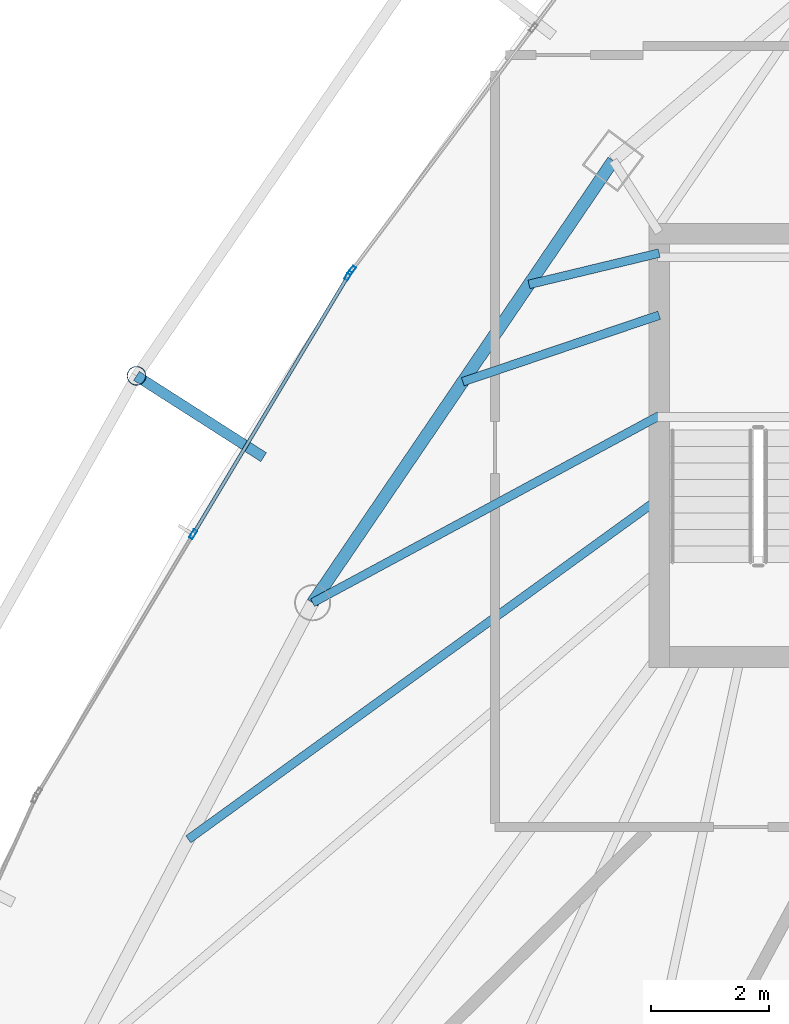
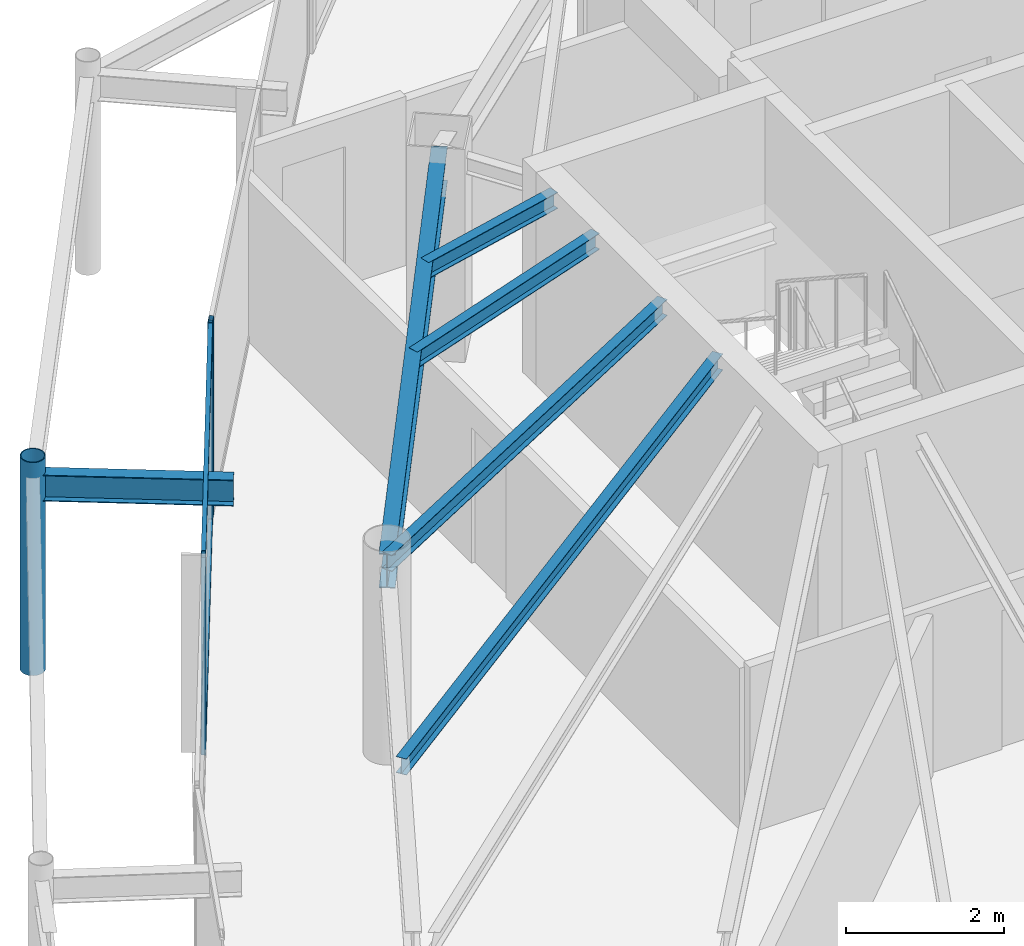
# One storey, part 13 of 34: 6 beams, 6 members, 2 elements without a shape of their own.
"""IFC4 building model written with IfcOpenShell, lengths in metres."""

import ifcopenshell
import ifcopenshell.guid

model = None  # the IFC model being written
_history = None  # IfcOwnerHistory: only IFC2X3 demands one
_inside = {}  # id of a spatial element -> (the spatial element, [elements in it])
_under = {}  # id of a project, library or spatial element -> (it, [spatial elements below it])
_declared = {}  # id of a project -> (the project, [libraries it declares])
_typed = {}  # id of a type object -> (the type object, [elements of that type])
_made_of = {}  # id of a material, layer set ... -> (it, [elements and type objects made of it])


def new_model(schema):
    """Start an empty IFC model of exactly this schema.

    Asked for "IFC4X3", IfcOpenShell would pick the latest addendum, in which some entities
    have other attributes; the version numbers below select the first issue.
    IFC2X3 requires an IfcOwnerHistory on every rooted entity: one is made here for all.
    """
    global model, _history
    if schema == "IFC4X3":
        model = ifcopenshell.file(schema_version=(4, 3, 0, 0))
    else:
        model = ifcopenshell.file(schema=schema)
    _inside.clear()
    _under.clear()
    _declared.clear()
    _typed.clear()
    _made_of.clear()
    _history = None
    if model.schema == "IFC2X3":
        org = make("IfcOrganization", Name="unknown")
        user = make(
            "IfcPersonAndOrganization",
            ThePerson=make("IfcPerson", FamilyName="unknown"),
            TheOrganization=org,
        )
        app = make(
            "IfcApplication",
            ApplicationDeveloper=org,
            Version="unknown",
            ApplicationFullName="unknown",
            ApplicationIdentifier="unknown",
        )
        _history = make(
            "IfcOwnerHistory",
            OwningUser=user,
            OwningApplication=app,
            ChangeAction="ADDED",
            CreationDate=0,
        )
    return model


def make(cls, **values):
    """One entity of the class cls with the attributes given. An attribute that is None is left unset."""
    return model.create_entity(
        cls, **{name: value for name, value in values.items() if value is not None}
    )


def rooted(cls, **values):
    """An entity with a GlobalId (a new one), such as an element, a storey or a relation."""
    return make(cls, GlobalId=ifcopenshell.guid.new(), OwnerHistory=_history, **values)


def si_unit(unit_type, name, prefix=None):
    """IfcSIUnit, for example si_unit("LENGTHUNIT", "METRE", prefix="MILLI")."""
    return make("IfcSIUnit", UnitType=unit_type, Prefix=prefix, Name=name)


def assignment(units):
    """IfcUnitAssignment: the units of a project."""
    return None if units is None else make("IfcUnitAssignment", Units=units)


def point(xyz):
    """IfcCartesianPoint."""
    return None if xyz is None else make("IfcCartesianPoint", Coordinates=xyz)


def direction(xyz):
    """IfcDirection."""
    return None if xyz is None else make("IfcDirection", DirectionRatios=xyz)


def frame(location, z_axis=None, x_axis=None):
    """IfcAxis2Placement3D, a coordinate frame: its origin and axes. An axis left out is left unset."""
    return make(
        "IfcAxis2Placement3D",
        Location=point(location),
        Axis=direction(z_axis),
        RefDirection=direction(x_axis),
    )


def frame_2d(location, x_axis=None):
    """IfcAxis2Placement2D, a coordinate frame in the plane: its origin and x axis."""
    return make(
        "IfcAxis2Placement2D", Location=point(location), RefDirection=direction(x_axis)
    )


def origin():
    """The frame at (0, 0, 0) with its axes left unset."""
    return frame((0.0, 0.0, 0.0))


def origin_2d():
    """The frame at (0, 0) in the plane with its x axis left unset."""
    return frame_2d((0.0, 0.0))


def place(relative_to, where):
    """IfcLocalPlacement: puts the frame where relative to a parent placement (None: the world)."""
    return make(
        "IfcLocalPlacement", PlacementRelTo=relative_to, RelativePlacement=where
    )


def context(
    kind, dimensions, precision=None, world=None, true_north=None, identifier=None
):
    """IfcGeometricRepresentationContext, for example the 3D "Model" context."""
    return make(
        "IfcGeometricRepresentationContext",
        ContextIdentifier=identifier,
        ContextType=kind,
        CoordinateSpaceDimension=dimensions,
        Precision=precision,
        WorldCoordinateSystem=world,
        TrueNorth=true_north,
    )


def subcontext(parent, identifier, kind, view, scale=None):
    """IfcGeometricRepresentationSubContext, for example "Body" below "Model"."""
    return make(
        "IfcGeometricRepresentationSubContext",
        ContextIdentifier=identifier,
        ContextType=kind,
        ParentContext=parent,
        TargetScale=scale,
        TargetView=view,
    )


def project(units=None, contexts=None):
    """IfcProject with its units and contexts."""
    return rooted(
        "IfcProject",
        Name="project",
        RepresentationContexts=contexts,
        UnitsInContext=assignment(units),
    )


def spatial(cls, under=None, at=None, **own):
    """A site, building, storey or space (cls), placed at a placement, below another one or the project."""
    s = rooted(cls, ObjectPlacement=at, **own)
    if under is not None:
        _under.setdefault(under.id(), (under, []))[1].append(s)
    return s


def profile(cls, at=None, kind="AREA", **sizes):
    """A parametric profile (cls). Its sizes go by their IFC names, for example OverallWidth=200.0."""
    return make(cls, ProfileType=kind, Position=at, **sizes)


def hollow_rectangle(**sizes):
    """IfcRectangleHollowProfileDef."""
    return profile("IfcRectangleHollowProfileDef", **sizes)


def hollow_circle(**sizes):
    """IfcCircleHollowProfileDef."""
    return profile("IfcCircleHollowProfileDef", **sizes)


def i_section(**sizes):
    """IfcIShapeProfileDef."""
    return profile("IfcIShapeProfileDef", **sizes)


def extrude(swept, where, along, depth):
    """IfcExtrudedAreaSolid: the profile swept, set in the frame where, extruded along a direction by depth."""
    return make(
        "IfcExtrudedAreaSolid",
        SweptArea=swept,
        Position=where,
        ExtrudedDirection=direction(along),
        Depth=depth,
    )


def shape(context_of_items, identifier, shape_type, items):
    """IfcShapeRepresentation: the items that make up one representation, for example the "Body"."""
    return make(
        "IfcShapeRepresentation",
        ContextOfItems=context_of_items,
        RepresentationIdentifier=identifier,
        RepresentationType=shape_type,
        Items=items,
    )


def material(Name=None, Category=None):
    """IfcMaterial."""
    return make("IfcMaterial", Name=Name, Category=Category)


def layer(
    of_material, thickness, ventilated=None, Name=None, Category=None, Priority=None
):
    """IfcMaterialLayer: one layer of a wall or slab, of a material (None: an air gap)."""
    return make(
        "IfcMaterialLayer",
        Material=of_material,
        LayerThickness=thickness,
        IsVentilated=ventilated,
        Name=Name,
        Category=Category,
        Priority=Priority,
    )


def layer_set(layers, Name=None):
    """IfcMaterialLayerSet."""
    return make("IfcMaterialLayerSet", MaterialLayers=layers, LayerSetName=Name)


def material_profile(
    of_material, cross_section, Name=None, Category=None, Priority=None
):
    """IfcMaterialProfile: a cross section and its material."""
    return make(
        "IfcMaterialProfile",
        Name=Name,
        Material=of_material,
        Profile=cross_section,
        Priority=Priority,
        Category=Category,
    )


def profile_set(profiles, Name=None, composite=None):
    """IfcMaterialProfileSet."""
    return make(
        "IfcMaterialProfileSet",
        Name=Name,
        MaterialProfiles=profiles,
        CompositeProfile=composite,
    )


def made_of(thing, what):
    """Note that an element or type object is made of a material, layer set ...; save() writes the relation."""
    if what is not None:
        _made_of.setdefault(what.id(), (what, []))[1].append(thing)
    return thing


def type_object(cls, material=None, **own):
    """A type object (cls), such as IfcWallType, which elements share."""
    return made_of(rooted(cls, **own), material)


def element(
    cls,
    number,
    at=None,
    inside=None,
    cuts=None,
    type_object=None,
    material=None,
    context=None,
    identifier="Body",
    shape_type=None,
    held_by="IfcProductDefinitionShape",
    body=None,
    shapes=None,
    **own,
):
    """One element of the class cls, such as IfcWall. Its Tag is "e" and its number.

    at: its placement. inside: the storey or other place that contains it. cuts: it is an
    opening in that element (IfcRelVoidsElement). A single representation is given by context,
    identifier, shape_type and body (its items); several are given by shapes. held_by: the class
    of the entity that holds the representations. save() writes the other relations.
    """
    e = rooted(cls, Tag="e%d" % number, ObjectPlacement=at, **own)
    if body is not None:
        shapes = [shape(context, identifier, shape_type, body)]
    if shapes is not None:
        e.Representation = make(held_by, Representations=shapes)
    if inside is not None:
        _inside.setdefault(inside.id(), (inside, []))[1].append(e)
    if cuts is not None:
        rooted(
            "IfcRelVoidsElement", RelatingBuildingElement=cuts, RelatedOpeningElement=e
        )
    if type_object is not None:
        _typed.setdefault(type_object.id(), (type_object, []))[1].append(e)
    return made_of(e, material)


def aggregate(whole, parts):
    """IfcRelAggregates: a whole, such as a stair, and the parts it consists of."""
    return rooted("IfcRelAggregates", RelatingObject=whole, RelatedObjects=parts)


def save(model, path):
    """Write the relations noted so far, then the file.

    IfcRelAggregates (storeys below a building ...), IfcRelContainedInSpatialStructure (elements
    in a storey), IfcRelDefinesByType, IfcRelAssociatesMaterial and IfcRelDeclares: one each for
    every whole, place, type object, material and project.
    """
    for whole, parts in _under.values():
        aggregate(whole, parts)
    for where, things in _inside.values():
        rooted(
            "IfcRelContainedInSpatialStructure",
            RelatedElements=things,
            RelatingStructure=where,
        )
    for kind, things in _typed.values():
        rooted("IfcRelDefinesByType", RelatedObjects=things, RelatingType=kind)
    for what, things in _made_of.values():
        rooted("IfcRelAssociatesMaterial", RelatedObjects=things, RelatingMaterial=what)
    for by, libraries in _declared.values():
        rooted("IfcRelDeclares", RelatingContext=by, RelatedDefinitions=libraries)
    model.write(path)


model = new_model("IFC4")

# Units and contexts
model_context = context("Model", 3, precision=1e-05, world=origin(), true_north=direction((0.0, 1.0)))
body_context = subcontext(model_context, "Body", "Model", "MODEL_VIEW")
ifc_project = project(units=[si_unit("LENGTHUNIT", "METRE"), si_unit("AREAUNIT", "SQUARE_METRE"), si_unit("VOLUMEUNIT", "CUBIC_METRE"), si_unit("PLANEANGLEUNIT", "RADIAN"), si_unit("MASSUNIT", "GRAM", prefix="KILO")], contexts=[model_context])

# Site, building, storey
site_placement = place(None, origin())
site = spatial("IfcSite", under=ifc_project, at=site_placement, CompositionType="ELEMENT")
building_placement = place(site_placement, origin())
building = spatial("IfcBuilding", under=site, at=building_placement, Name="Orvanel Arch Residences", CompositionType="ELEMENT")
storey_placement = place(building_placement, frame((0.0, 0.0, 199.699951171875)))
storey = spatial("IfcBuildingStorey", under=building, at=storey_placement, Name="L56", CompositionType="ELEMENT", Elevation=199.699951171875)

# Beams
ifc_material_1 = material(Name="Structural steel AS/NZS 3679.1 Grade 300 (300 MPa)", Category="steel")
ifc_material_profile_1 = material_profile(ifc_material_1, i_section(OverallWidth=0.14599609375, OverallDepth=0.251953125, WebThickness=0.006103515625, FlangeThickness=0.008544921875, at=origin_2d()), Name="250UB31.4")
ifc_profile_set_1 = profile_set([ifc_material_profile_1], Name="Structural steel AS/NZS 3679.1 Grade 300 (300 MPa)")
beam_type_1 = type_object("IfcBeamType", Name="BJ-250UB", PredefinedType="JOIST", material=ifc_profile_set_1)
beam_1_placement = place(storey_placement, frame((26.425048828125, 30.800048828125, 2.93408203125), z_axis=(-0.880111494021, -0.474767056664, 0.0), x_axis=(0.474767056664, -0.880111494021, 0.0)))
element("IfcBeam", 1, at=beam_1_placement, inside=storey, type_object=beam_type_1, Name="L56 NW Wing Floor Joist", PredefinedType="JOIST", context=body_context, shape_type="SweptSolid", body=[
    extrude(i_section(OverallWidth=0.14599609375, OverallDepth=0.251953125, WebThickness=0.006103515625, FlangeThickness=0.008544921875, at=origin_2d()), origin(), (0.0, 0.0, 1.0), 6.653564453125),
])
beam_2_placement = place(storey_placement, frame((26.425048828125, 32.5, 2.93408203125), z_axis=(-0.947187956478, -0.320678928373, 0.0), x_axis=(0.320678928373, -0.947187956478, 0.0)))
element("IfcBeam", 2, at=beam_2_placement, inside=storey, type_object=beam_type_1, Name="L56 WNW Wing Floor Joist", PredefinedType="JOIST", context=body_context, shape_type="SweptSolid", body=[
    extrude(i_section(OverallWidth=0.14599609375, OverallDepth=0.251953125, WebThickness=0.006103515625, FlangeThickness=0.008544921875, at=origin_2d()), origin(), (0.0, 0.0, 1.0), 3.502197265625),
])
beam_3_placement = place(storey_placement, frame((26.425048828125, 29.39990234375, 2.93408203125), z_axis=(-0.810144032972, -0.586230881002, 0.0), x_axis=(0.586230881002, -0.810144032972, 0.0)))
element("IfcBeam", 3, at=beam_3_placement, inside=storey, type_object=beam_type_1, Name="L56 CTW Wing Floor Joist", PredefinedType="JOIST", context=body_context, shape_type="SweptSolid", body=[
    extrude(i_section(OverallWidth=0.14599609375, OverallDepth=0.251953125, WebThickness=0.006103515625, FlangeThickness=0.008544921875, at=origin_2d()), origin(), (0.0, 0.0, 1.0), 9.82177734375),
])
beam_4_placement = place(storey_placement, frame((26.425048828125, 33.550048828125, 2.93408203125), z_axis=(-0.972256833016, -0.23391590509, 0.0), x_axis=(0.23391590509, -0.972256833016, 0.0)))
element("IfcBeam", 4, at=beam_4_placement, inside=storey, type_object=beam_type_1, Name="L56 JADD3 Wing Floor Joist", PredefinedType="JOIST", context=body_context, shape_type="SweptSolid", body=[
    extrude(i_section(OverallWidth=0.14599609375, OverallDepth=0.251953125, WebThickness=0.006103515625, FlangeThickness=0.008544921875, at=origin_2d()), origin(), (0.0, 0.0, 1.0), 2.26171875),
])

# Curtain wall, member
ifc_material_2 = material(Name="Bronze-anodised aluminium AA6063-T6", Category="aluminium")
ifc_layer = layer(ifc_material_2, 0.175048828125)
ifc_layer_set = layer_set([ifc_layer], Name="Bronze-anodised aluminium AA6063-T6")
curtain_wall_type = type_object("IfcCurtainWallType", Name="CW4-HI-SYS", PredefinedType="NOTDEFINED", material=ifc_layer_set)
curtain_wall_1_placement = place(storey_placement, origin())
curtain_wall_1 = element("IfcCurtainWall", 5, at=curtain_wall_1_placement, inside=storey, type_object=curtain_wall_type, Name="L56 CW4-HI-SYS Unitised Curtain Wall", PredefinedType="NOTDEFINED")
ifc_material_profile_2 = material_profile(ifc_material_2, hollow_rectangle(XDim=0.06494140625, YDim=0.159912109375, WallThickness=0.00390625, at=origin_2d()), Name="ALU160x65x4")
ifc_profile_set_2 = profile_set([ifc_material_profile_2], Name="Bronze-anodised aluminium AA6063-T6")
member_type_1 = type_object("IfcMemberType", Name="MUL-160x65", PredefinedType="MULLION", material=ifc_profile_set_2)
member_1_placement = place(storey_placement, frame((21.2294921875, 33.255126953125, 0.0), z_axis=(0.0, 0.0, 1.0), x_axis=(0.800790783216, -0.598944172287, 0.0)))
member_1 = element("IfcMember", 6, at=member_1_placement, type_object=member_type_1, Name="CW-S4 mullion 3", PredefinedType="MULLION", context=body_context, shape_type="SweptSolid", body=[
    extrude(hollow_rectangle(XDim=0.06494140625, YDim=0.159912109375, WallThickness=0.00390625, at=origin_2d()), origin(), (0.0, 0.0, 1.0), 3.06005859375),
])
aggregate(curtain_wall_1, [member_1])

# Curtain wall, members
curtain_wall_2_placement = place(storey_placement, origin())
curtain_wall_2 = element("IfcCurtainWall", 7, at=curtain_wall_2_placement, inside=storey, type_object=curtain_wall_type, Name="L56 CW4-HI-SYS Unitised Curtain Wall", PredefinedType="NOTDEFINED")
member_2_placement = place(storey_placement, frame((21.17138671875, 33.168212890625, 0.0), z_axis=(0.0, 0.0, 1.0), x_axis=(0.857492925713, -0.514495755426, 0.0)))
member_2 = element("IfcMember", 8, at=member_2_placement, type_object=member_type_1, Name="CW-S4 mullion 1", PredefinedType="MULLION", context=body_context, shape_type="SweptSolid", body=[
    extrude(hollow_rectangle(XDim=0.06494140625, YDim=0.159912109375, WallThickness=0.00390625, at=origin_2d()), origin(), (0.0, 0.0, 1.0), 3.06005859375),
])
member_3_placement = place(storey_placement, frame((18.549560546875, 28.798583984375, 0.0), z_axis=(0.0, 0.0, 1.0), x_axis=(0.857492925713, -0.514495755426, 0.0)))
member_3 = element("IfcMember", 9, at=member_3_placement, type_object=member_type_1, Name="CW-S4 mullion 2", PredefinedType="MULLION", context=body_context, shape_type="SweptSolid", body=[
    extrude(hollow_rectangle(XDim=0.06494140625, YDim=0.159912109375, WallThickness=0.00390625, at=origin_2d()), origin(), (0.0, 0.0, 1.0), 3.06005859375),
])

# Beams
ifc_material_profile_3 = material_profile(ifc_material_1, i_section(OverallWidth=0.177978515625, OverallDepth=0.406005859375, WebThickness=0.0078125, FlangeThickness=0.0126953125, at=origin_2d()), Name="410UB59.7")
ifc_profile_set_3 = profile_set([ifc_material_profile_3], Name="Structural steel AS/NZS 3679.1 Grade 300 (300 MPa)")
beam_type_2 = type_object("IfcBeamType", Name="OB-410UB-EXT", PredefinedType="SPANDREL", material=ifc_profile_set_3)
beam_5_placement = place(storey_placement, frame((19.740966796875, 30.10107421875, 2.85693359375), z_axis=(-0.842389625194, 0.53886892596, 0.0), x_axis=(-0.53886892596, -0.842389625194, 0.0)))
element("IfcBeam", 10, at=beam_5_placement, inside=storey, type_object=beam_type_2, Name="L56 Outer Frame Radial Tie Beam 02", PredefinedType="SPANDREL", context=body_context, shape_type="SweptSolid", body=[
    extrude(i_section(OverallWidth=0.177978515625, OverallDepth=0.406005859375, WebThickness=0.0078125, FlangeThickness=0.0126953125, at=origin_2d()), origin(), (0.0, 0.0, 1.0), 2.5498046875),
])
ifc_material_profile_4 = material_profile(ifc_material_1, i_section(OverallWidth=0.208984375, OverallDepth=0.532958984375, WebThickness=0.01025390625, FlangeThickness=0.015625, at=origin_2d()), Name="530UB92.4")
ifc_profile_set_4 = profile_set([ifc_material_profile_4], Name="Structural steel AS/NZS 3679.1 Grade 300 (300 MPa)")
beam_type_3 = type_object("IfcBeamType", Name="SP-530UB", PredefinedType="SPANDREL", material=ifc_profile_set_4)
beam_6_placement = place(storey_placement, frame((25.64794921875, 35.113037109375, 2.79296875), z_axis=(-0.562154793153, -0.827032035978, 0.0), x_axis=(0.827032035978, -0.562154793153, 0.0)))
element("IfcBeam", 11, at=beam_6_placement, inside=storey, type_object=beam_type_3, Name="L56 Perimeter Spandrel Beam 11", PredefinedType="SPANDREL", context=body_context, shape_type="SweptSolid", body=[
    extrude(i_section(OverallWidth=0.208984375, OverallDepth=0.532958984375, WebThickness=0.01025390625, FlangeThickness=0.015625, at=origin_2d()), origin(), (0.0, 0.0, 1.0), 9.03466796875),
])

# Member
ifc_material_3 = material(Name="Structural steel AS/NZS 1163 C350L0 (Grade 350)", Category="steel")
ifc_material_profile_5 = material_profile(ifc_material_3, hollow_circle(Radius=0.162109375, WallThickness=0.0126953125, at=origin_2d()), Name="CHS324x12.7")
ifc_profile_set_5 = profile_set([ifc_material_profile_5], Name="Structural steel AS/NZS 1163 C350L0 (Grade 350)")
member_type_2 = type_object("IfcMemberType", Name="ST-324CHS-EXT", PredefinedType="STRUT", material=ifc_profile_set_5)
member_4_placement = place(storey_placement, frame((17.593017578125, 31.47509765625, 0.0), z_axis=(0.0, 0.0, 1.0), x_axis=(1.0, 0.0, 0.0)))
element("IfcMember", 12, at=member_4_placement, inside=storey, type_object=member_type_2, Name="L56 Outer Perimeter Frame Post 02", PredefinedType="STRUT", context=body_context, shape_type="SweptSolid", body=[
    extrude(hollow_circle(Radius=0.162109375, WallThickness=0.0126953125, at=origin_2d()), origin(), (0.0, 0.0, 1.0), 3.300048828125),
])

ifc_material_profile_6 = material_profile(ifc_material_2, hollow_rectangle(XDim=0.06005859375, YDim=0.1201171875, WallThickness=0.00341796875, at=origin_2d()), Name="ALU120x60x3.5")
ifc_profile_set_6 = profile_set([ifc_material_profile_6], Name="Bronze-anodised aluminium AA6063-T6")
member_type_3 = type_object("IfcMemberType", Name="TRN-120x60", PredefinedType="USERDEFINED", material=ifc_profile_set_6)
member_5_placement = place(storey_placement, frame((21.154541015625, 33.140380859375, 0.030029296875), z_axis=(-0.514495755428, -0.857492925713, 0.0), x_axis=(0.857492925713, -0.514495755428, 0.0)))
member_5 = element("IfcMember", 13, at=member_5_placement, type_object=member_type_3, Name="CW-S4 transom 1.1", ObjectType="TRANSOM", PredefinedType="USERDEFINED", context=body_context, shape_type="SweptSolid", body=[
    extrude(hollow_rectangle(XDim=0.06005859375, YDim=0.1201171875, WallThickness=0.00341796875, at=origin_2d()), origin(), (0.0, 0.0, 1.0), 5.031005859375),
])

member_6_placement = place(storey_placement, frame((21.154541015625, 33.140380859375, 3.030029296875), z_axis=(-0.514495755428, -0.857492925713, 0.0), x_axis=(0.857492925713, -0.514495755428, 0.0)))
member_6 = element("IfcMember", 14, at=member_6_placement, type_object=member_type_3, Name="CW-S4 transom 1.2", ObjectType="TRANSOM", PredefinedType="USERDEFINED", context=body_context, shape_type="SweptSolid", body=[
    extrude(hollow_rectangle(XDim=0.06005859375, YDim=0.1201171875, WallThickness=0.00341796875, at=origin_2d()), origin(), (0.0, 0.0, 1.0), 5.031005859375),
])

aggregate(curtain_wall_2, [member_2, member_3, member_5, member_6])

save(model, "model.ifc")
